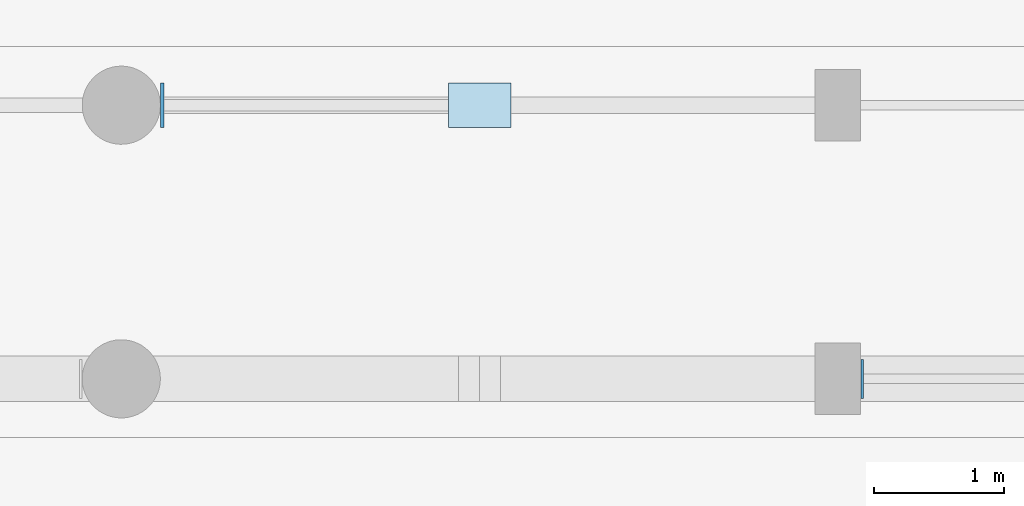
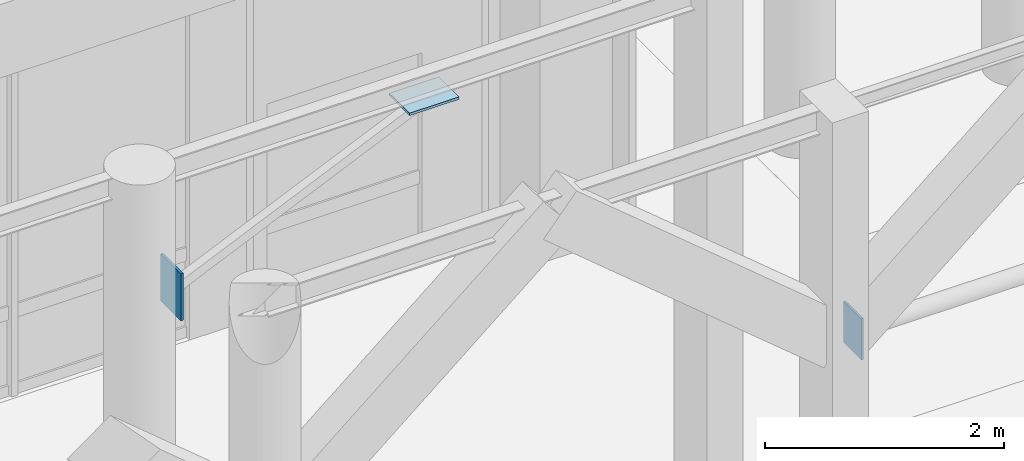
# One storey, part 81 of 135: 3 plates.
"""IFC4 building model written with IfcOpenShell, lengths in metres."""

from ifc_helpers import new_model, si_unit, direction, frame, origin, origin_2d, place, context, subcontext, project, spatial, rectangle, extrude, material, layer, layer_set, type_object, element, save


model = new_model("IFC4")

# Units and contexts
model_context = context("Model", 3, precision=1e-05, world=origin(), true_north=direction((0.0, 1.0)))
body_context = subcontext(model_context, "Body", "Model", "MODEL_VIEW")
ifc_project = project(units=[si_unit("LENGTHUNIT", "METRE"), si_unit("AREAUNIT", "SQUARE_METRE"), si_unit("VOLUMEUNIT", "CUBIC_METRE"), si_unit("PLANEANGLEUNIT", "RADIAN"), si_unit("MASSUNIT", "GRAM", prefix="KILO")], contexts=[model_context])

# Site, building, storey
site_placement = place(None, origin())
site = spatial("IfcSite", under=ifc_project, at=site_placement, CompositionType="ELEMENT")
building_placement = place(site_placement, origin())
building = spatial("IfcBuilding", under=site, at=building_placement, Name="Kiranvali Square Residences", CompositionType="ELEMENT")
storey_placement = place(building_placement, origin())
storey = spatial("IfcBuildingStorey", under=building, at=storey_placement, Name="L00", CompositionType="ELEMENT", Elevation=0.0)

# Plates
ifc_material = material(Name="Structural steel E350", Category="steel")
ifc_layer_1 = layer(ifc_material, 0.02001953125)
ifc_layer_set_1 = layer_set([ifc_layer_1], Name="Structural steel E350")
plate_type_1 = type_object("IfcPlateType", Name="PLT-ENDCAP-20", PredefinedType="SHEET", material=ifc_layer_set_1)
plate_1_placement = place(storey_placement, frame((95.18603515625, 37.449951171875, 2.93994140625), z_axis=(0.0, 0.0, 1.0), x_axis=(1.0, 0.0, 0.0)))
element("IfcPlate", 1, at=plate_1_placement, inside=storey, type_object=plate_type_1, Name="Colonnade tie-rod end plate ARC-GDN-S-11A", PredefinedType="SHEET", context=body_context, shape_type="SweptSolid", body=[
    extrude(rectangle(XDim=0.02001953125, YDim=0.300048828125, at=origin_2d()), origin(), (0.0, 0.0, 1.0), 0.419921875),
])
ifc_layer_2 = layer(ifc_material, 0.02490234375)
ifc_layer_set_2 = layer_set([ifc_layer_2], Name="Structural steel E350")
plate_type_2 = type_object("IfcPlateType", Name="PLT-GUSSET-25", PredefinedType="USERDEFINED", material=ifc_layer_set_2)
plate_2_placement = place(storey_placement, frame((89.81396484375, 39.550048828125, 3.9599609375), z_axis=(0.0, 0.0, 1.0), x_axis=(1.0, 0.0, 0.0)))
element("IfcPlate", 2, at=plate_2_placement, inside=storey, type_object=plate_type_2, Name="Colonnade knee-brace lower gusset ARC-GDN-S-10A", ObjectType="GUSSET PLATE", PredefinedType="USERDEFINED", context=body_context, shape_type="SweptSolid", body=[
    extrude(rectangle(XDim=0.02490234375, YDim=0.340087890625, at=origin_2d()), origin(), (0.0, 0.0, 1.0), 0.47998046875),
])
plate_3_placement = place(storey_placement, frame((92.25, 39.550048828125, 5.283447265625), z_axis=(0.0, 0.0, 1.0), x_axis=(1.0, 0.0, 0.0)))
element("IfcPlate", 3, at=plate_3_placement, inside=storey, type_object=plate_type_2, Name="Colonnade knee-brace upper gusset ARC-GDN-S-10B", ObjectType="GUSSET PLATE", PredefinedType="USERDEFINED", context=body_context, shape_type="SweptSolid", body=[
    extrude(rectangle(XDim=0.47998046875, YDim=0.340087890625, at=origin_2d()), origin(), (0.0, 0.0, 1.0), 0.02490234375),
])

save(model, "model.ifc")
